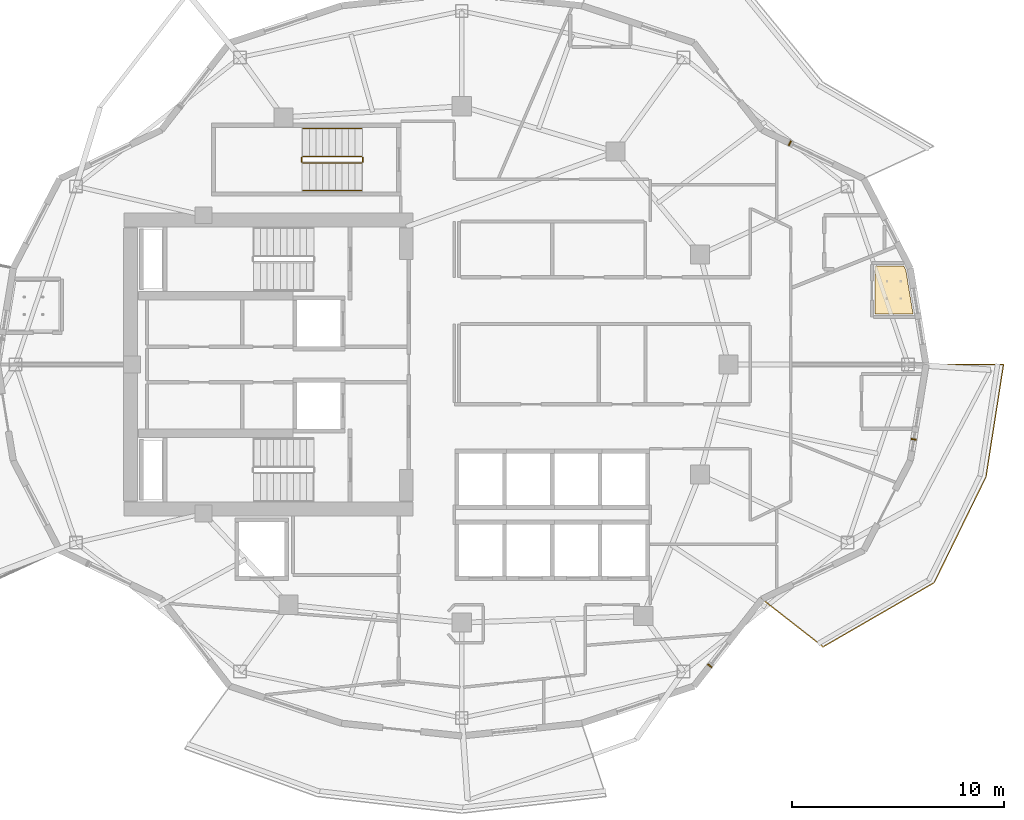
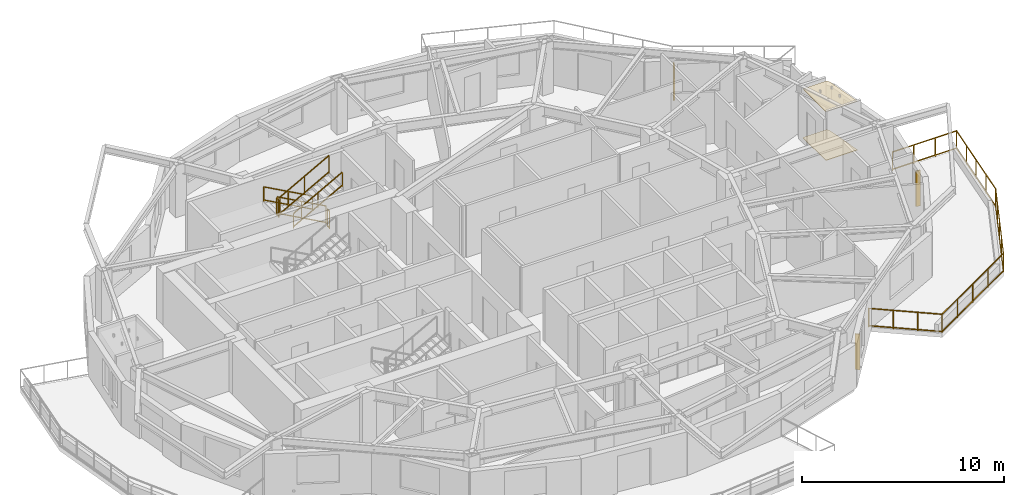
# One storey, part 12 of 13: 7 railings, 3 shading devices, 2 coverings.
"""IFC4 building model written with IfcOpenShell, lengths in metres."""

from ifc_helpers import new_model, si_unit, direction, frame, origin, origin_2d, place, context, subcontext, project, spatial, polyline, rectangle, outline, extrude, material, layer, layer_set, type_object, element, save


model = new_model("IFC4")

# Units and contexts
model_context = context("Model", 3, precision=1e-05, world=origin(), true_north=direction((0.0, 1.0)))
body_context = subcontext(model_context, "Body", "Model", "MODEL_VIEW")
ifc_project = project(units=[si_unit("LENGTHUNIT", "METRE"), si_unit("AREAUNIT", "SQUARE_METRE"), si_unit("VOLUMEUNIT", "CUBIC_METRE"), si_unit("PLANEANGLEUNIT", "RADIAN"), si_unit("MASSUNIT", "GRAM", prefix="KILO")], contexts=[model_context])

# Site, building, storey
site_placement = place(None, origin())
site = spatial("IfcSite", under=ifc_project, at=site_placement, CompositionType="ELEMENT")
building_placement = place(site_placement, origin())
building = spatial("IfcBuilding", under=site, at=building_placement, Name="Kolvaren Gate Tower and Convention Centre", CompositionType="ELEMENT")
storey_placement = place(building_placement, frame((0.0, 0.0, 166.5)))
storey = spatial("IfcBuildingStorey", under=building, at=storey_placement, Name="L43", CompositionType="ELEMENT", Elevation=166.5)

# Coverings
ifc_material_1 = material(Name="Perforated Mineral-Fibre Acoustic Ceiling Tile 18 mm", Category="gypsum")
ifc_layer_1 = layer(ifc_material_1, 0.01806640625)
ifc_layer_set_1 = layer_set([ifc_layer_1], Name="Perforated Mineral-Fibre Acoustic Ceiling Tile 18 mm")
covering_type_1 = type_object("IfcCoveringType", Name="ARCH-COV-CEIL-18", PredefinedType="CEILING", material=ifc_layer_set_1)
covering_1_placement = place(storey_placement, frame((0.0, 0.0, 2.949951171875)))
element("IfcCovering", 1, at=covering_1_placement, inside=storey, type_object=covering_type_1, Name="En-suite Bathroom (HTL-L43-10) Acoustic Suspended Ceiling", PredefinedType="CEILING", context=body_context, shape_type="SweptSolid", body=[
    extrude(outline(polyline([(49.639892578125, 29.389892578125), (49.639892578125, 31.659912109375), (51.006103515625, 31.659912109375), (51.10302734375, 31.471923828125), (51.446044921875, 29.389892578125), (49.639892578125, 29.389892578125)])), origin(), (0.0, 0.0, 1.0), 0.01806640625),
])
ifc_material_2 = material(Name="Honed Sabana Limestone Terrazzo Flooring 30 mm", Category="masonry")
ifc_layer_2 = layer(ifc_material_2, 0.030029296875)
ifc_layer_set_2 = layer_set([ifc_layer_2], Name="Honed Sabana Limestone Terrazzo Flooring 30 mm")
covering_type_2 = type_object("IfcCoveringType", Name="ARCH-COV-FLR-30", PredefinedType="FLOORING", material=ifc_layer_set_2)
covering_2_placement = place(storey_placement, origin())
element("IfcCovering", 2, at=covering_2_placement, inside=storey, type_object=covering_type_2, Name="En-suite Bathroom (HTL-L43-10) Interior Finish Flooring", PredefinedType="FLOORING", context=body_context, shape_type="SweptSolid", body=[
    extrude(outline(polyline([(49.639892578125, 29.389892578125), (49.639892578125, 31.659912109375), (51.006103515625, 31.659912109375), (51.10302734375, 31.471923828125), (51.446044921875, 29.389892578125), (49.639892578125, 29.389892578125)])), origin(), (0.0, 0.0, 1.0), 0.030029296875),
])

# Railings
ifc_material_3 = material(Name="Brushed Stainless Steel Grade 316L", Category="steel")
railing_type_1 = type_object("IfcRailingType", Name="ARCH-RL-GUARD-1150", PredefinedType="GUARDRAIL", material=ifc_material_3)
railing_1_placement = place(storey_placement, frame((25.39990234375, 36.830078125, 0.169921875)))
element("IfcRailing", 3, at=railing_1_placement, inside=storey, type_object=railing_type_1, Name="L43 ST-T3 stair guard 1", PredefinedType="GUARDRAIL", context=body_context, shape_type="SweptSolid", body=[
    extrude(rectangle(XDim=0.048095703125, YDim=0.048095703125, at=origin_2d()), frame((0.0, 0.0, 1.076171875), z_axis=(-0.8767936245, 0.0, 0.480866863109), x_axis=(0.0, -1.0, 0.0)), (0.0, 0.0, 1.0), 3.181884765625),
    extrude(rectangle(XDim=0.048095703125, YDim=0.048095703125, at=origin_2d()), frame((0.0, 0.0, 0.083984375), z_axis=(-0.8767936245, 0.0, 0.480866863109), x_axis=(0.0, -1.0, 0.0)), (0.0, 0.0, 1.0), 3.181884765625),
    extrude(rectangle(XDim=0.0419921875, YDim=0.0419921875, at=origin_2d()), origin(), (0.0, 0.0, 1.0), 1.050048828125),
    extrude(rectangle(XDim=0.0419921875, YDim=0.0419921875, at=origin_2d()), frame((-2.789794921875, 0.0, 1.530029296875)), (0.0, 0.0, 1.0), 1.050048828125),
    extrude(rectangle(XDim=0.0419921875, YDim=0.0419921875, at=origin_2d()), frame((-1.39501953125, 0.0, 0.76513671875)), (0.0, 0.0, 1.0), 1.050048828125),
])
railing_2_placement = place(storey_placement, frame((22.56005859375, 36.780029296875, 1.699951171875)))
element("IfcRailing", 4, at=railing_2_placement, inside=storey, type_object=railing_type_1, Name="L43 ST-T3 stair guard 2", PredefinedType="GUARDRAIL", context=body_context, shape_type="SweptSolid", body=[
    extrude(rectangle(XDim=0.048095703125, YDim=0.048095703125, at=origin_2d()), frame((0.0, 0.0, 1.076171875), z_axis=(0.0, -1.0, 0.0), x_axis=(1.0, 0.0, 0.0)), (0.0, 0.0, 1.0), 0.199951171875),
    extrude(rectangle(XDim=0.048095703125, YDim=0.048095703125, at=origin_2d()), frame((0.0, 0.0, 0.083984375), z_axis=(0.0, -1.0, 0.0), x_axis=(1.0, 0.0, 0.0)), (0.0, 0.0, 1.0), 0.199951171875),
    extrude(rectangle(XDim=0.0419921875, YDim=0.0419921875, at=origin_2d()), origin(), (0.0, 0.0, 1.0), 1.050048828125),
    extrude(rectangle(XDim=0.0419921875, YDim=0.0419921875, at=origin_2d()), frame((0.0, -0.199951171875, 0.0)), (0.0, 0.0, 1.0), 1.050048828125),
])
railing_3_placement = place(storey_placement, frame((22.610107421875, 36.530029296875, 1.8701171875)))
element("IfcRailing", 5, at=railing_3_placement, inside=storey, type_object=railing_type_1, Name="L43 ST-T3 stair guard 3", PredefinedType="GUARDRAIL", context=body_context, shape_type="SweptSolid", body=[
    extrude(rectangle(XDim=0.048095703125, YDim=0.048095703125, at=origin_2d()), frame((0.0, 0.0, 1.076171875), z_axis=(0.876825974686, 0.0, 0.480807872353), x_axis=(0.0, 1.0, 0.0)), (0.0, 0.0, 1.0), 3.181640625),
    extrude(rectangle(XDim=0.048095703125, YDim=0.048095703125, at=origin_2d()), frame((0.0, 0.0, 0.083984375), z_axis=(0.876825974686, 0.0, 0.480807872353), x_axis=(0.0, 1.0, 0.0)), (0.0, 0.0, 1.0), 3.181640625),
    extrude(rectangle(XDim=0.0419921875, YDim=0.0419921875, at=origin_2d()), origin(), (0.0, 0.0, 1.0), 1.050048828125),
    extrude(rectangle(XDim=0.0419921875, YDim=0.0419921875, at=origin_2d()), frame((2.789794921875, 0.0, 1.52978515625)), (0.0, 0.0, 1.0), 1.050048828125),
    extrude(rectangle(XDim=0.0419921875, YDim=0.0419921875, at=origin_2d()), frame((1.39501953125, 0.0, 0.764892578125)), (0.0, 0.0, 1.0), 1.050048828125),
])
railing_4_placement = place(storey_placement, frame((25.449951171875, 36.780029296875, 0.0)))
element("IfcRailing", 6, at=railing_4_placement, inside=storey, type_object=railing_type_1, Name="L43 ST-T3 stair guard 4", PredefinedType="GUARDRAIL", context=body_context, shape_type="SweptSolid", body=[
    extrude(rectangle(XDim=0.048095703125, YDim=0.048095703125, at=origin_2d()), frame((0.0, 0.0, 1.076171875), z_axis=(0.0, -1.0, 0.0), x_axis=(1.0, 0.0, 0.0)), (0.0, 0.0, 1.0), 0.199951171875),
    extrude(rectangle(XDim=0.048095703125, YDim=0.048095703125, at=origin_2d()), frame((0.0, 0.0, 0.083984375), z_axis=(0.0, -1.0, 0.0), x_axis=(1.0, 0.0, 0.0)), (0.0, 0.0, 1.0), 0.199951171875),
    extrude(rectangle(XDim=0.0419921875, YDim=0.0419921875, at=origin_2d()), origin(), (0.0, 0.0, 1.0), 1.050048828125),
    extrude(rectangle(XDim=0.0419921875, YDim=0.0419921875, at=origin_2d()), frame((0.0, -0.199951171875, 0.0)), (0.0, 0.0, 1.0), 1.050048828125),
])
railing_5_placement = place(storey_placement, frame((44.3134765625, 15.9140625, 0.0)))
element("IfcRailing", 7, at=railing_5_placement, inside=storey, type_object=railing_type_1, Name="Tower L43 Terrace Perimeter Guardrail GR-4", PredefinedType="GUARDRAIL", context=body_context, shape_type="SweptSolid", body=[
    extrude(rectangle(XDim=0.048095703125, YDim=0.048095703125, at=origin_2d()), frame((0.022216796875, -0.017333984375, 1.1259765625), z_axis=(0.787988976981, -0.61568934712, 0.0), x_axis=(0.61568934712, 0.787988976981, 0.0)), (0.0, 0.0, 1.0), 3.60400390625),
    extrude(rectangle(XDim=0.048095703125, YDim=0.048095703125, at=origin_2d()), frame((0.022216796875, -0.017333984375, 0.083984375), z_axis=(0.787988976981, -0.61568934712, 0.0), x_axis=(0.61568934712, 0.787988976981, 0.0)), (0.0, 0.0, 1.0), 3.60400390625),
    extrude(rectangle(XDim=0.048095703125, YDim=0.048095703125, at=origin_2d()), frame((2.908203125, -2.239501953125, 1.1259765625), z_axis=(0.866075571306, 0.499913097234, 0.0), x_axis=(-0.499913097234, 0.866075571306, 0.0)), (0.0, 0.0, 1.0), 6.004150390625),
    extrude(rectangle(XDim=0.048095703125, YDim=0.048095703125, at=origin_2d()), frame((2.908203125, -2.239501953125, 0.083984375), z_axis=(0.866075571306, 0.499913097234, 0.0), x_axis=(-0.499913097234, 0.866075571306, 0.0)), (0.0, 0.0, 1.0), 6.004150390625),
    extrude(rectangle(XDim=0.048095703125, YDim=0.048095703125, at=origin_2d()), frame((8.14501953125, 0.80126953125, 1.1259765625), z_axis=(0.439655234701, 0.898166618507, 0.0), x_axis=(-0.898166618507, 0.439655234701, 0.0)), (0.0, 0.0, 1.0), 5.51123046875),
    extrude(rectangle(XDim=0.048095703125, YDim=0.048095703125, at=origin_2d()), frame((8.14501953125, 0.80126953125, 0.083984375), z_axis=(0.439655234701, 0.898166618507, 0.0), x_axis=(-0.898166618507, 0.439655234701, 0.0)), (0.0, 0.0, 1.0), 5.51123046875),
    extrude(rectangle(XDim=0.048095703125, YDim=0.048095703125, at=origin_2d()), frame((10.584716796875, 5.804443359375, 1.1259765625), z_axis=(0.154200861408, 0.988039520637, 0.0), x_axis=(-0.988039520637, 0.154200861408, 0.0)), (0.0, 0.0, 1.0), 5.3173828125),
    extrude(rectangle(XDim=0.048095703125, YDim=0.048095703125, at=origin_2d()), frame((10.584716796875, 5.804443359375, 0.083984375), z_axis=(0.154200861408, 0.988039520637, 0.0), x_axis=(-0.988039520637, 0.154200861408, 0.0)), (0.0, 0.0, 1.0), 5.3173828125),
    extrude(rectangle(XDim=0.048095703125, YDim=0.048095703125, at=origin_2d()), frame((11.380859375, 11.0859375, 1.1259765625), z_axis=(-1.0, 0.0, 0.0), x_axis=(0.0, -1.0, 0.0)), (0.0, 0.0, 1.0), 3.603759765625),
    extrude(rectangle(XDim=0.048095703125, YDim=0.048095703125, at=origin_2d()), frame((11.380859375, 11.0859375, 0.083984375), z_axis=(-1.0, 0.0, 0.0), x_axis=(0.0, -1.0, 0.0)), (0.0, 0.0, 1.0), 3.603759765625),
    extrude(rectangle(XDim=0.0419921875, YDim=0.0419921875, at=origin_2d()), origin(), (0.0, 0.0, 1.0), 1.14990234375),
    extrude(rectangle(XDim=0.0419921875, YDim=0.0419921875, at=origin_2d()), frame((2.884033203125, -2.25341796875, 0.0)), (0.0, 0.0, 1.0), 1.14990234375),
    extrude(rectangle(XDim=0.0419921875, YDim=0.0419921875, at=origin_2d()), frame((0.96142578125, -0.751220703125, 0.0)), (0.0, 0.0, 1.0), 1.099853515625),
    extrude(rectangle(XDim=0.0419921875, YDim=0.0419921875, at=origin_2d()), frame((1.922607421875, -1.502197265625, 0.0)), (0.0, 0.0, 1.0), 1.099853515625),
    extrude(rectangle(XDim=0.0419921875, YDim=0.0419921875, at=origin_2d()), frame((8.132568359375, 0.776123046875, 0.0)), (0.0, 0.0, 1.0), 1.14990234375),
    extrude(rectangle(XDim=0.0419921875, YDim=0.0419921875, at=origin_2d()), frame((4.1962890625, -1.49609375, 0.0)), (0.0, 0.0, 1.0), 1.099853515625),
    extrude(rectangle(XDim=0.0419921875, YDim=0.0419921875, at=origin_2d()), frame((5.50830078125, -0.73876953125, 0.0)), (0.0, 0.0, 1.0), 1.099853515625),
    extrude(rectangle(XDim=0.0419921875, YDim=0.0419921875, at=origin_2d()), frame((6.8203125, 0.018798828125, 0.0)), (0.0, 0.0, 1.0), 1.099853515625),
    extrude(rectangle(XDim=0.0419921875, YDim=0.0419921875, at=origin_2d()), frame((10.580322265625, 5.776611328125, 0.0)), (0.0, 0.0, 1.0), 1.14990234375),
    extrude(rectangle(XDim=0.0419921875, YDim=0.0419921875, at=origin_2d()), frame((8.74462890625, 2.0263671875, 0.0)), (0.0, 0.0, 1.0), 1.099853515625),
    extrude(rectangle(XDim=0.0419921875, YDim=0.0419921875, at=origin_2d()), frame((9.3564453125, 3.2763671875, 0.0)), (0.0, 0.0, 1.0), 1.099853515625),
    extrude(rectangle(XDim=0.0419921875, YDim=0.0419921875, at=origin_2d()), frame((9.96826171875, 4.5263671875, 0.0)), (0.0, 0.0, 1.0), 1.099853515625),
    extrude(rectangle(XDim=0.0419921875, YDim=0.0419921875, at=origin_2d()), frame((11.408935546875, 11.0859375, 0.0)), (0.0, 0.0, 1.0), 1.14990234375),
    extrude(rectangle(XDim=0.0419921875, YDim=0.0419921875, at=origin_2d()), frame((10.78759765625, 7.10400390625, 0.0)), (0.0, 0.0, 1.0), 1.099853515625),
    extrude(rectangle(XDim=0.0419921875, YDim=0.0419921875, at=origin_2d()), frame((10.99462890625, 8.43115234375, 0.0)), (0.0, 0.0, 1.0), 1.099853515625),
    extrude(rectangle(XDim=0.0419921875, YDim=0.0419921875, at=origin_2d()), frame((11.20166015625, 9.758544921875, 0.0)), (0.0, 0.0, 1.0), 1.099853515625),
    extrude(rectangle(XDim=0.0419921875, YDim=0.0419921875, at=origin_2d()), frame((7.7490234375, 11.0859375, 0.0)), (0.0, 0.0, 1.0), 1.14990234375),
    extrude(rectangle(XDim=0.0419921875, YDim=0.0419921875, at=origin_2d()), frame((10.18896484375, 11.0859375, 0.0)), (0.0, 0.0, 1.0), 1.099853515625),
    extrude(rectangle(XDim=0.0419921875, YDim=0.0419921875, at=origin_2d()), frame((8.968994140625, 11.0859375, 0.0)), (0.0, 0.0, 1.0), 1.099853515625),
])
railing_type_2 = type_object("IfcRailingType", Name="ARCH-RL-HANDRAIL-920", PredefinedType="HANDRAIL", material=ifc_material_3)
railing_6_placement = place(storey_placement, frame((25.39990234375, 38.14990234375, 0.169921875)))
element("IfcRailing", 8, at=railing_6_placement, inside=storey, type_object=railing_type_2, Name="L43 ST-T3 stair handrail 1", PredefinedType="HANDRAIL", context=body_context, shape_type="SweptSolid", body=[
    extrude(rectangle(XDim=0.048095703125, YDim=0.048095703125, at=origin_2d()), frame((0.0, 0.0, 0.8759765625), z_axis=(-0.8767936245, 0.0, 0.480866863109), x_axis=(0.0, -1.0, 0.0)), (0.0, 0.0, 1.0), 3.181884765625),
    extrude(rectangle(XDim=0.048095703125, YDim=0.048095703125, at=origin_2d()), frame((0.0, 0.0, 0.083984375), z_axis=(-0.8767936245, 0.0, 0.480866863109), x_axis=(0.0, -1.0, 0.0)), (0.0, 0.0, 1.0), 3.181884765625),
    extrude(rectangle(XDim=0.0419921875, YDim=0.0419921875, at=origin_2d()), origin(), (0.0, 0.0, 1.0), 0.849853515625),
    extrude(rectangle(XDim=0.0419921875, YDim=0.0419921875, at=origin_2d()), frame((-2.789794921875, 0.0, 1.530029296875)), (0.0, 0.0, 1.0), 0.849853515625),
    extrude(rectangle(XDim=0.0419921875, YDim=0.0419921875, at=origin_2d()), frame((-1.39501953125, 0.0, 0.76513671875)), (0.0, 0.0, 1.0), 0.849853515625),
])
railing_7_placement = place(storey_placement, frame((22.610107421875, 35.2099609375, 1.8701171875)))
element("IfcRailing", 9, at=railing_7_placement, inside=storey, type_object=railing_type_2, Name="L43 ST-T3 stair handrail 2", PredefinedType="HANDRAIL", context=body_context, shape_type="SweptSolid", body=[
    extrude(rectangle(XDim=0.048095703125, YDim=0.048095703125, at=origin_2d()), frame((0.0, 0.0, 0.8759765625), z_axis=(0.876825974686, 0.0, 0.480807872353), x_axis=(0.0, 1.0, 0.0)), (0.0, 0.0, 1.0), 3.181640625),
    extrude(rectangle(XDim=0.048095703125, YDim=0.048095703125, at=origin_2d()), frame((0.0, 0.0, 0.083984375), z_axis=(0.876825974686, 0.0, 0.480807872353), x_axis=(0.0, 1.0, 0.0)), (0.0, 0.0, 1.0), 3.181640625),
    extrude(rectangle(XDim=0.0419921875, YDim=0.0419921875, at=origin_2d()), origin(), (0.0, 0.0, 1.0), 0.849853515625),
    extrude(rectangle(XDim=0.0419921875, YDim=0.0419921875, at=origin_2d()), frame((2.789794921875, 0.0, 1.52978515625)), (0.0, 0.0, 1.0), 0.849853515625),
    extrude(rectangle(XDim=0.0419921875, YDim=0.0419921875, at=origin_2d()), frame((1.39501953125, 0.0, 0.764892578125)), (0.0, 0.0, 1.0), 0.849853515625),
])

# Shading devices
ifc_material_4 = material(Name="Kiln-Fired Bogota Terracotta Ceramic Louvre Profile", Category="masonry")
shading_device_type = type_object("IfcShadingDeviceType", Name="ARCH-SHD-FIN-180", PredefinedType="JALOUSIE", material=ifc_material_4)
for number, where, z_axis, x_axis, name in (
    (10, (45.627685546875, 37.45458984375, 0.219970703125), (0.0, 0.0, 1.0), (0.901358389955, -0.433073957723, 0.0), "Ceramic Vertical Brise-Soleil Fin FN-L43-02"),
    (11, (41.845947265625, 12.761962890625, 0.219970703125), (0.0, 0.0, 1.0), (0.616434119112, 0.787406487651, 0.0), "Ceramic Vertical Brise-Soleil Fin FN-L43-20"),
    (12, (51.480712890625, 23.464111328125, 0.219970703125), (0.0, 0.0, 1.0), (0.162380568014, 0.986728205298, 0.0), "Ceramic Vertical Brise-Soleil Fin FN-L43-23"),
):
    element("IfcShadingDevice", number, at=place(storey_placement, frame(where, z_axis=z_axis, x_axis=x_axis)), inside=storey, type_object=shading_device_type, Name=name, PredefinedType="JALOUSIE", context=body_context, shape_type="SweptSolid", body=[
        extrude(rectangle(XDim=0.06005859375, YDim=0.239990234375, at=origin_2d()), origin(), (0.0, 0.0, 1.0), 2.14990234375),
    ])

save(model, "model.ifc")
